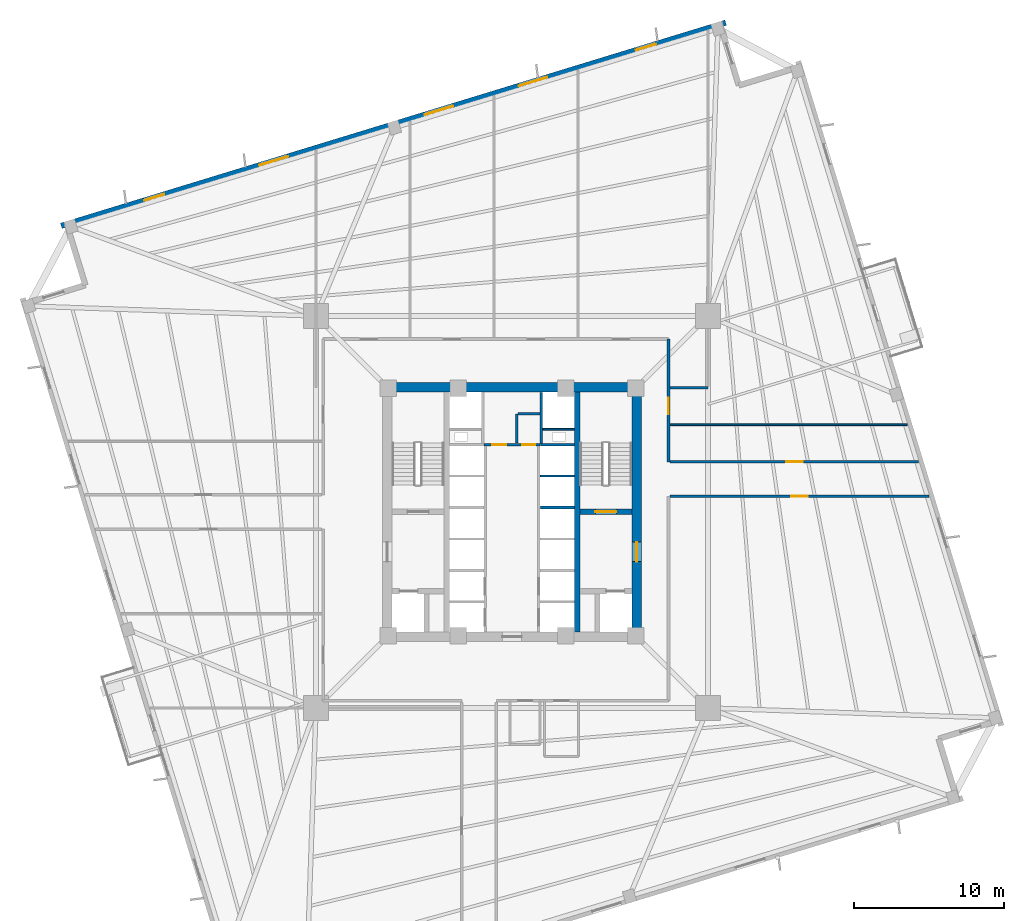
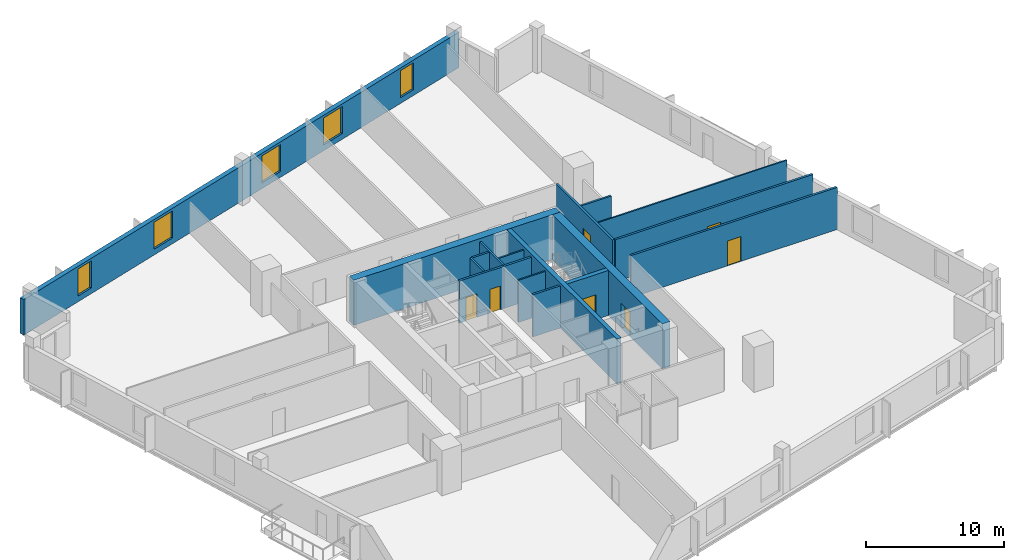
# One storey, part 5 of 9: 18 walls, 7 doors, 5 windows, 12 openings.
"""IFC4 building model written with IfcOpenShell, lengths in metres."""

from ifc_helpers import new_model, si_unit, direction, frame, frame_2d, origin, place, context, subcontext, project, spatial, rectangle, extrude, source, transform, mapped, material, layer, layer_set, type_object, element, fill, save


model = new_model("IFC4")

# Units and contexts
model_context = context("Model", 3, precision=1e-05, world=origin(), true_north=direction((0.0, 1.0)))
body_context = subcontext(model_context, "Body", "Model", "MODEL_VIEW")
ifc_project = project(units=[si_unit("LENGTHUNIT", "METRE"), si_unit("AREAUNIT", "SQUARE_METRE"), si_unit("VOLUMEUNIT", "CUBIC_METRE"), si_unit("PLANEANGLEUNIT", "RADIAN"), si_unit("MASSUNIT", "GRAM", prefix="KILO"), si_unit("THERMODYNAMICTEMPERATUREUNIT", "KELVIN")], contexts=[model_context])

# Site, building, storey
site_placement = place(None, origin())
site = spatial("IfcSite", under=ifc_project, at=site_placement, CompositionType="ELEMENT")
building_placement = place(site_placement, origin())
building = spatial("IfcBuilding", under=site, at=building_placement, Name="Kosmvard Interchange Tower", CompositionType="ELEMENT")
storey_placement = place(building_placement, frame((0.0, 0.0, 83.199951171875)))
storey = spatial("IfcBuildingStorey", under=building, at=storey_placement, Name="L19", CompositionType="ELEMENT", Elevation=83.199951171875)

# Walls
ifc_material_1 = material(Name="Acoustic gypsum partition system")
ifc_layer_1 = layer(ifc_material_1, 0.14990234375, Name="Acoustic gypsum partition system")
ifc_layer_set_1 = layer_set([ifc_layer_1], Name="Acoustic gypsum partition system")
wall_type_1 = type_object("IfcWallType", Name="Acoustic Suite & Meeting Partition 150", PredefinedType="PARTITIONING", material=ifc_layer_set_1)
wall_1_placement = place(storey_placement, frame((10.544921875, 8.300048828125, 0.0), z_axis=(0.0, 0.0, 1.0), x_axis=(1.0, 0.0, 0.0)))
element("IfcWall", 1, at=wall_1_placement, inside=storey, type_object=wall_type_1, Name="L19 Room Partition 06.1", PredefinedType="PARTITIONING", context=body_context, shape_type="SweptSolid", body=[
    extrude(rectangle(XDim=2.5361328125, YDim=0.14990234375, at=frame_2d((1.26806640625, 0.0))), origin(), (0.0, 0.0, 1.0), 3.739990234375),
])
ifc_material_2 = material(Name="Fire-rated gypsum partition system")
ifc_layer_2 = layer(ifc_material_2, 0.159912109375, Name="Fire-rated gypsum partition system")
ifc_layer_set_2 = layer_set([ifc_layer_2], Name="Fire-rated gypsum partition system")
wall_type_2 = type_object("IfcWallType", Name="Core Compartment & Shuttle Lobby Partition 160", PredefinedType="PARTITIONING", material=ifc_layer_set_2)
wall_2_placement = place(storey_placement, frame((1.9599609375, 4.580078125, 0.0), z_axis=(0.0, 0.0, 1.0), x_axis=(0.0, 1.0, 0.0)))
element("IfcWall", 2, at=wall_2_placement, inside=storey, type_object=wall_type_2, Name="L19 North Core East Wall", PredefinedType="PARTITIONING", context=body_context, shape_type="SweptSolid", body=[
    extrude(rectangle(XDim=3.39990234375, YDim=0.159912109375, at=frame_2d((1.699951171875, 0.0))), origin(), (0.0, 0.0, 1.0), 3.739990234375),
])
ifc_material_3 = material(Name="Concrete blockwork masonry", Category="masonry")
ifc_layer_3 = layer(ifc_material_3, 0.159912109375, Name="Concrete blockwork masonry")
ifc_layer_set_3 = layer_set([ifc_layer_3], Name="Concrete blockwork masonry")
wall_type_3 = type_object("IfcWallType", Name="Core Enclosure Split Wall 160", PredefinedType="PARTITIONING", material=ifc_layer_set_3)
wall_3_placement = place(storey_placement, frame((0.320068359375, 4.60009765625, 0.0), z_axis=(0.0, 0.0, 1.0), x_axis=(0.0, 1.0, 0.0)))
element("IfcWall", 3, at=wall_3_placement, inside=storey, type_object=wall_type_3, Name="L19 Core K3 L-Wall 1", PredefinedType="PARTITIONING", context=body_context, shape_type="SweptSolid", body=[
    extrude(rectangle(XDim=1.949951171875, YDim=0.159912109375, at=frame_2d((0.97509765625, 0.0))), origin(), (0.0, 0.0, 1.0), 3.739990234375),
])
wall_4_placement = place(storey_placement, frame((0.39990234375, 6.550048828125, 0.0), z_axis=(0.0, 0.0, 1.0), x_axis=(1.0, 0.0, 0.0)))
element("IfcWall", 4, at=wall_4_placement, inside=storey, type_object=wall_type_3, Name="L19 Core K3 L-Wall 2", PredefinedType="PARTITIONING", context=body_context, shape_type="SweptSolid", body=[
    extrude(rectangle(XDim=1.460205078125, YDim=0.159912109375, at=frame_2d((0.72998046875, 0.0))), origin(), (0.0, 0.0, 1.0), 3.739990234375),
])

# Wall, openings, doors
ifc_layer_4 = layer(ifc_material_2, 0.179931640625, Name="Fire-rated gypsum partition system")
ifc_layer_set_4 = layer_set([ifc_layer_4], Name="Fire-rated gypsum partition system")
wall_type_4 = type_object("IfcWallType", Name="Corridor & Hotel Compartment Partition 180", PredefinedType="PARTITIONING", material=ifc_layer_set_4)
wall_5_placement = place(storey_placement, frame((-1.8798828125, 4.489990234375, 0.0), z_axis=(0.0, 0.0, 1.0), x_axis=(1.0, 0.0, 0.0)))
wall_5 = element("IfcWall", 5, at=wall_5_placement, inside=storey, type_object=wall_type_4, Name="L19 Lift Lobby North Partition", PredefinedType="PARTITIONING", context=body_context, shape_type="SweptSolid", body=[
    extrude(rectangle(XDim=3.759765625, YDim=0.179931640625, at=frame_2d((1.8798828125, 0.0))), origin(), (0.0, 0.0, 1.0), 3.739990234375),
])
opening_1_placement = place(wall_5_placement, frame((0.550048828125, 0.0, 0.0)))
opening_1 = element("IfcOpeningElement", 6, at=opening_1_placement, cuts=wall_5, Name="Opening L19-KD1", PredefinedType="OPENING", context=body_context, shape_type="SweptSolid", body=[
    extrude(rectangle(XDim=0.949951171875, YDim=2.10009765625, at=frame_2d((0.47509765625, 1.050048828125))), frame((0.0, 0.10009765625, 0.0), z_axis=(0.0, -1.0, 0.0), x_axis=(1.0, 0.0, 0.0)), (0.0, 0.0, 1.0), 0.199951171875),
])
opening_2_placement = place(wall_5_placement, frame((2.56005859375, 0.0, 0.0)))
opening_2 = element("IfcOpeningElement", 7, at=opening_2_placement, cuts=wall_5, Name="Opening L19-KD2", PredefinedType="OPENING", context=body_context, shape_type="SweptSolid", body=[
    extrude(rectangle(XDim=0.8798828125, YDim=2.10009765625, at=frame_2d((0.43994140625, 1.050048828125))), frame((0.0, 0.10009765625, 0.0), z_axis=(0.0, -1.0, 0.0), x_axis=(1.0, 0.0, 0.0)), (0.0, 0.0, 1.0), 0.199951171875),
])
ifc_material_4 = material(Name="Painted fire-rated timber leaf", Category="wood")
door_type_1 = type_object("IfcDoorType", Name="Core Service Fire Door 950x2100 EI30", OperationType="NOTDEFINED", PredefinedType="DOOR", material=ifc_material_4)
shared_shape_1 = source(origin(), body_context, "Body", "SweptSolid", [
    extrude(rectangle(XDim=0.949951171875, YDim=2.10009765625, at=frame_2d((0.47509765625, 1.050048828125))), frame((0.0, 0.02490234375, 0.0), z_axis=(0.0, -1.0, 0.0), x_axis=(1.0, 0.0, 0.0)), (0.0, 0.0, 1.0), 0.050048828125),
])
door_1_placement = place(opening_1_placement, origin())
door_1 = element("IfcDoor", 8, at=door_1_placement, inside=storey, type_object=door_type_1, Name="L19 Core Archive Store Door", OperationType="SINGLE_SWING_LEFT", OverallHeight=2.10009765625, OverallWidth=0.949951171875, PredefinedType="DOOR", context=body_context, shape_type="MappedRepresentation", body=[
    mapped(shared_shape_1, transform((0.0, 0.0, 0.0), scale=1.0)),
])
fill(opening_1, door_1)
door_type_2 = type_object("IfcDoorType", Name="Core Cupboard Fire Door 880x2100 EI30", OperationType="NOTDEFINED", PredefinedType="DOOR", material=ifc_material_4)
shared_shape_2 = source(origin(), body_context, "Body", "SweptSolid", [
    extrude(rectangle(XDim=0.8798828125, YDim=2.10009765625, at=frame_2d((0.43994140625, 1.050048828125))), frame((0.0, 0.02490234375, 0.0), z_axis=(0.0, -1.0, 0.0), x_axis=(1.0, 0.0, 0.0)), (0.0, 0.0, 1.0), 0.050048828125),
])
door_2_placement = place(opening_2_placement, origin())
door_2 = element("IfcDoor", 9, at=door_2_placement, inside=storey, type_object=door_type_2, Name="L19 Core Supplies Cupboard Door", OperationType="SINGLE_SWING_RIGHT", OverallHeight=2.10009765625, OverallWidth=0.8798828125, PredefinedType="DOOR", context=body_context, shape_type="MappedRepresentation", body=[
    mapped(shared_shape_2, transform((0.0, 0.0, 0.0), scale=1.0)),
])
fill(opening_2, door_2)

# Wall, opening, door
wall_6_placement = place(storey_placement, frame((10.449951171875, 3.35009765625, 0.0), z_axis=(0.0, 0.0, 1.0), x_axis=(0.0, 1.0, 0.0)))
wall_6 = element("IfcWall", 10, at=wall_6_placement, inside=storey, type_object=wall_type_4, Name="L19 Corridor Wall CEN", PredefinedType="PARTITIONING", context=body_context, shape_type="SweptSolid", body=[
    extrude(rectangle(XDim=8.199951171875, YDim=0.179931640625, at=frame_2d((4.10009765625, 0.0))), origin(), (0.0, 0.0, 1.0), 3.739990234375),
])
opening_3_placement = place(wall_6_placement, frame((3.16259765625, 0.0, 0.0)))
opening_3 = element("IfcOpeningElement", 11, at=opening_3_placement, cuts=wall_6, Name="Opening L19-D10", PredefinedType="OPENING", context=body_context, shape_type="SweptSolid", body=[
    extrude(rectangle(XDim=1.10009765625, YDim=2.199951171875, at=frame_2d((0.550048828125, 1.10009765625))), frame((0.0, 0.10009765625, 0.0), z_axis=(0.0, -1.0, 0.0), x_axis=(1.0, 0.0, 0.0)), (0.0, 0.0, 1.0), 0.199951171875),
])
ifc_material_5 = material(Name="Engineered oak fire-rated timber", Category="wood")
door_type_3 = type_object("IfcDoorType", Name="Office Suite Entrance Door 1100x2200 FD30S", OperationType="NOTDEFINED", PredefinedType="DOOR", material=ifc_material_5)
shared_shape_3 = source(origin(), body_context, "Body", "SweptSolid", [
    extrude(rectangle(XDim=1.10009765625, YDim=2.199951171875, at=frame_2d((0.550048828125, 1.10009765625))), frame((0.0, 0.02490234375, 0.0), z_axis=(0.0, -1.0, 0.0), x_axis=(1.0, 0.0, 0.0)), (0.0, 0.0, 1.0), 0.050048828125),
])
door_3_placement = place(opening_3_placement, frame((1.10009765625, 0.0, 0.0), z_axis=(0.0, 0.0, 1.0), x_axis=(-1.0, 0.0, 0.0)))
door_3 = element("IfcDoor", 12, at=door_3_placement, inside=storey, type_object=door_type_3, Name="L19 Corporate Office 7 Door", OperationType="SINGLE_SWING_RIGHT", OverallHeight=2.199951171875, OverallWidth=1.10009765625, PredefinedType="DOOR", context=body_context, shape_type="MappedRepresentation", body=[
    mapped(shared_shape_3, transform((0.0, 0.0, 0.0), scale=1.0)),
])
fill(opening_3, door_3)

wall_7_placement = place(storey_placement, frame((10.550048828125, 1.050048828125, 0.0), z_axis=(0.0, 0.0, 1.0), x_axis=(1.0, 0.0, 0.0)))
wall_7 = element("IfcWall", 13, at=wall_7_placement, inside=storey, type_object=wall_type_4, Name="L19 Corridor Wall SES", PredefinedType="PARTITIONING", context=body_context, shape_type="SweptSolid", body=[
    extrude(rectangle(XDim=17.294677734375, YDim=0.179931640625, at=frame_2d((8.6474609375, 0.0))), origin(), (0.0, 0.0, 1.0), 3.739990234375),
])
opening_4_placement = place(wall_7_placement, frame((8.097412109375, 0.0, 0.0)))
opening_4 = element("IfcOpeningElement", 14, at=opening_4_placement, cuts=wall_7, Name="Opening L19-D11", PredefinedType="OPENING", context=body_context, shape_type="SweptSolid", body=[
    extrude(rectangle(XDim=1.10009765625, YDim=2.199951171875, at=frame_2d((0.550048828125, 1.10009765625))), frame((0.0, 0.10009765625, 0.0), z_axis=(0.0, -1.0, 0.0), x_axis=(1.0, 0.0, 0.0)), (0.0, 0.0, 1.0), 0.199951171875),
])
door_4_placement = place(opening_4_placement, frame((1.10009765625, 0.0, 0.0), z_axis=(0.0, 0.0, 1.0), x_axis=(-1.0, 0.0, 0.0)))
door_4 = element("IfcDoor", 15, at=door_4_placement, inside=storey, type_object=door_type_3, Name="L19 South-East Corporate Open Workplace Door", OperationType="SINGLE_SWING_LEFT", OverallHeight=2.199951171875, OverallWidth=1.10009765625, PredefinedType="DOOR", context=body_context, shape_type="MappedRepresentation", body=[
    mapped(shared_shape_3, transform((0.0, 0.0, 0.0), scale=1.0)),
])
fill(opening_4, door_4)

wall_8_placement = place(storey_placement, frame((10.550048828125, 3.35009765625, 0.0), z_axis=(0.0, 0.0, 1.0), x_axis=(1.0, 0.0, 0.0)))
wall_8 = element("IfcWall", 16, at=wall_8_placement, inside=storey, type_object=wall_type_4, Name="L19 Corridor Wall SEN", PredefinedType="PARTITIONING", context=body_context, shape_type="SweptSolid", body=[
    extrude(rectangle(XDim=16.591552734375, YDim=0.179931640625, at=frame_2d((8.2958984375, 0.0))), origin(), (0.0, 0.0, 1.0), 3.739990234375),
])
opening_5_placement = place(wall_8_placement, frame((7.745849609375, 0.0, 0.0)))
opening_5 = element("IfcOpeningElement", 17, at=opening_5_placement, cuts=wall_8, Name="Opening L19-D09", PredefinedType="OPENING", context=body_context, shape_type="SweptSolid", body=[
    extrude(rectangle(XDim=1.10009765625, YDim=2.199951171875, at=frame_2d((0.550048828125, 1.10009765625))), frame((0.0, 0.10009765625, 0.0), z_axis=(0.0, -1.0, 0.0), x_axis=(1.0, 0.0, 0.0)), (0.0, 0.0, 1.0), 0.199951171875),
])
door_5_placement = place(opening_5_placement, origin())
door_5 = element("IfcDoor", 18, at=door_5_placement, inside=storey, type_object=door_type_3, Name="L19 Corporate Office 6 Door", OperationType="SINGLE_SWING_LEFT", OverallHeight=2.199951171875, OverallWidth=1.10009765625, PredefinedType="DOOR", context=body_context, shape_type="MappedRepresentation", body=[
    mapped(shared_shape_3, transform((0.0, 0.0, 0.0), scale=1.0)),
])
fill(opening_5, door_5)

# Wall, openings, windows
ifc_material_6 = material(Name="Precast concrete C45/55", Category="concrete")
ifc_layer_5 = layer(ifc_material_6, 0.3798828125, Name="Precast concrete C45/55")
ifc_layer_set_5 = layer_set([ifc_layer_5], Name="Precast concrete C45/55")
wall_type_5 = type_object("IfcWallType", Name="Lower Tower Precast Pier Wall 380 C45/55", PredefinedType="STANDARD", material=ifc_layer_set_5)
wall_9_placement = place(storey_placement, frame((14.26513671875, 32.65771484375, 0.0), z_axis=(0.0, 0.0, 1.0), x_axis=(-0.956304320851, -0.292373127906, 0.0)))
wall_9 = element("IfcWall", 19, at=wall_9_placement, inside=storey, type_object=wall_type_5, Name="L19 Precast Facade Wall F-N", PredefinedType="STANDARD", context=body_context, shape_type="SweptSolid", body=[
    extrude(rectangle(XDim=46.380126953125, YDim=0.3798828125, at=frame_2d((23.18994140625, 0.0))), origin(), (0.0, 0.0, 1.0), 3.14013671875),
])
opening_6_placement = place(wall_9_placement, frame((4.865478515625, 0.0, 0.510009765625)))
opening_6 = element("IfcOpeningElement", 20, at=opening_6_placement, cuts=wall_9, Name="Opening L19-W10", PredefinedType="OPENING", context=body_context, shape_type="SweptSolid", body=[
    extrude(rectangle(XDim=1.39990234375, YDim=2.39990234375, at=frame_2d((0.699951171875, 1.199951171875))), frame((0.0, 0.199951171875, 0.0), z_axis=(0.0, -1.0, 0.0), x_axis=(1.0, 0.0, 0.0)), (0.0, 0.0, 1.0), 0.39990234375),
])
opening_7_placement = place(wall_9_placement, frame((12.4501953125, 0.0, 0.510009765625)))
opening_7 = element("IfcOpeningElement", 21, at=opening_7_placement, cuts=wall_9, Name="Opening L19-W11", PredefinedType="OPENING", context=body_context, shape_type="SweptSolid", body=[
    extrude(rectangle(XDim=2.0, YDim=2.39990234375, at=frame_2d((1.0, 1.199951171875))), frame((0.0, 0.199951171875, 0.0), z_axis=(0.0, -1.0, 0.0), x_axis=(1.0, 0.0, 0.0)), (0.0, 0.0, 1.0), 0.39990234375),
])
opening_8_placement = place(wall_9_placement, frame((19.012451171875, 0.0, 0.510009765625)))
opening_8 = element("IfcOpeningElement", 22, at=opening_8_placement, cuts=wall_9, Name="Opening L19-W12", PredefinedType="OPENING", context=body_context, shape_type="SweptSolid", body=[
    extrude(rectangle(XDim=2.0, YDim=2.39990234375, at=frame_2d((1.0, 1.199951171875))), frame((0.0, 0.199951171875, 0.0), z_axis=(0.0, -1.0, 0.0), x_axis=(1.0, 0.0, 0.0)), (0.0, 0.0, 1.0), 0.39990234375),
])
opening_9_placement = place(wall_9_placement, frame((30.538330078125, 0.0, 0.510009765625)))
opening_9 = element("IfcOpeningElement", 23, at=opening_9_placement, cuts=wall_9, Name="Opening L19-W13", PredefinedType="OPENING", context=body_context, shape_type="SweptSolid", body=[
    extrude(rectangle(XDim=2.0, YDim=2.39990234375, at=frame_2d((1.0, 1.199951171875))), frame((0.0, 0.199951171875, 0.0), z_axis=(0.0, -1.0, 0.0), x_axis=(1.0, 0.0, 0.0)), (0.0, 0.0, 1.0), 0.39990234375),
])
opening_10_placement = place(wall_9_placement, frame((39.186767578125, 0.0, 0.510009765625)))
opening_10 = element("IfcOpeningElement", 24, at=opening_10_placement, cuts=wall_9, Name="Opening L19-W14", PredefinedType="OPENING", context=body_context, shape_type="SweptSolid", body=[
    extrude(rectangle(XDim=1.39990234375, YDim=2.39990234375, at=frame_2d((0.699951171875, 1.199951171875))), frame((0.0, 0.199951171875, 0.0), z_axis=(0.0, -1.0, 0.0), x_axis=(1.0, 0.0, 0.0)), (0.0, 0.0, 1.0), 0.39990234375),
])
ifc_material_7 = material(Name="Low-E solar-control double glazing", Category="glass")
window_type_1 = type_object("IfcWindowType", Name="Notched Corner Feature Window 1400x2400", PartitioningType="SINGLE_PANEL", PredefinedType="WINDOW", material=ifc_material_7)
shared_shape_4 = source(origin(), body_context, "Body", "SweptSolid", [
    extrude(rectangle(XDim=1.39990234375, YDim=2.39990234375, at=frame_2d((0.699951171875, 1.199951171875))), frame((0.0, 0.030029296875, 0.0), z_axis=(0.0, -1.0, 0.0), x_axis=(1.0, 0.0, 0.0)), (0.0, 0.0, 1.0), 0.06005859375),
])
window_1_placement = place(opening_6_placement, origin())
window_1 = element("IfcWindow", 25, at=window_1_placement, inside=storey, type_object=window_type_1, Name="L19 Facade Punched Window 10", OverallHeight=2.39990234375, OverallWidth=1.39990234375, PartitioningType="SINGLE_PANEL", PredefinedType="WINDOW", context=body_context, shape_type="MappedRepresentation", body=[
    mapped(shared_shape_4, transform((0.0, 0.0, 0.0), scale=1.0)),
])
fill(opening_6, window_1)
window_2_placement = place(opening_10_placement, origin())
window_2 = element("IfcWindow", 26, at=window_2_placement, inside=storey, type_object=window_type_1, Name="L19 Facade Punched Window 14", OverallHeight=2.39990234375, OverallWidth=1.39990234375, PartitioningType="SINGLE_PANEL", PredefinedType="WINDOW", context=body_context, shape_type="MappedRepresentation", body=[
    mapped(shared_shape_4, transform((0.0, 0.0, 0.0), scale=1.0)),
])
fill(opening_10, window_2)
window_type_2 = type_object("IfcWindowType", Name="Zone 2 Office Punched Window 2000x2400", PartitioningType="SINGLE_PANEL", PredefinedType="WINDOW", material=ifc_material_7)
shared_shape_5 = source(origin(), body_context, "Body", "SweptSolid", [
    extrude(rectangle(XDim=2.0, YDim=2.39990234375, at=frame_2d((1.0, 1.199951171875))), frame((0.0, 0.030029296875, 0.0), z_axis=(0.0, -1.0, 0.0), x_axis=(1.0, 0.0, 0.0)), (0.0, 0.0, 1.0), 0.06005859375),
])
window_3_placement = place(opening_7_placement, origin())
window_3 = element("IfcWindow", 27, at=window_3_placement, inside=storey, type_object=window_type_2, Name="L19 Facade Punched Window 11", OverallHeight=2.39990234375, OverallWidth=2.0, PartitioningType="SINGLE_PANEL", PredefinedType="WINDOW", context=body_context, shape_type="MappedRepresentation", body=[
    mapped(shared_shape_5, transform((0.0, 0.0, 0.0), scale=1.0)),
])
fill(opening_7, window_3)
window_4_placement = place(opening_8_placement, origin())
window_4 = element("IfcWindow", 28, at=window_4_placement, inside=storey, type_object=window_type_2, Name="L19 Facade Punched Window 12", OverallHeight=2.39990234375, OverallWidth=2.0, PartitioningType="SINGLE_PANEL", PredefinedType="WINDOW", context=body_context, shape_type="MappedRepresentation", body=[
    mapped(shared_shape_5, transform((0.0, 0.0, 0.0), scale=1.0)),
])
fill(opening_8, window_4)
window_5_placement = place(opening_9_placement, origin())
window_5 = element("IfcWindow", 29, at=window_5_placement, inside=storey, type_object=window_type_2, Name="L19 Facade Punched Window 13", OverallHeight=2.39990234375, OverallWidth=2.0, PartitioningType="SINGLE_PANEL", PredefinedType="WINDOW", context=body_context, shape_type="MappedRepresentation", body=[
    mapped(shared_shape_5, transform((0.0, 0.0, 0.0), scale=1.0)),
])
fill(opening_9, window_5)

# Wall
ifc_material_8 = material(Name="Concrete C70/85", Category="concrete")
ifc_layer_6 = layer(ifc_material_8, 0.64990234375, Name="Concrete C70/85")
ifc_layer_set_6 = layer_set([ifc_layer_6], Name="Concrete C70/85")
wall_type_6 = type_object("IfcWallType", Name="Mid Core Shear Wall 650 C70/85", PredefinedType="SHEAR", material=ifc_layer_set_6)
wall_10_placement = place(storey_placement, frame((-8.64990234375, 8.324951171875, 0.0), z_axis=(0.0, 0.0, 1.0), x_axis=(1.0, 0.0, 0.0)))
element("IfcWall", 30, at=wall_10_placement, inside=storey, type_object=wall_type_6, Name="L19 Core Shear Wall CW-N", PredefinedType="SHEAR", context=body_context, shape_type="SweptSolid", body=[
    extrude(rectangle(XDim=17.2998046875, YDim=0.64990234375, at=frame_2d((8.64990234375, 0.0))), origin(), (0.0, 0.0, 1.0), 4.0),
])

# Wall, opening, door
wall_11_placement = place(storey_placement, frame((8.324951171875, -8.0, 0.0), z_axis=(0.0, 0.0, 1.0), x_axis=(0.0, 1.0, 0.0)))
wall_11 = element("IfcWall", 31, at=wall_11_placement, inside=storey, type_object=wall_type_6, Name="L19 Core Shear Wall CW-E", PredefinedType="SHEAR", context=body_context, shape_type="SweptSolid", body=[
    extrude(rectangle(XDim=16.0, YDim=0.64990234375, at=frame_2d((8.0, 0.0))), origin(), (0.0, 0.0, 1.0), 4.0),
])
opening_11_placement = place(wall_11_placement, frame((4.68994140625, 0.0, 0.0)))
opening_11 = element("IfcOpeningElement", 32, at=opening_11_placement, cuts=wall_11, Name="Opening L19-FD2", PredefinedType="OPENING", context=body_context, shape_type="SweptSolid", body=[
    extrude(rectangle(XDim=1.300048828125, YDim=2.199951171875, at=frame_2d((0.64990234375, 1.10009765625))), frame((0.0, 0.3349609375, 0.0), z_axis=(0.0, -1.0, 0.0), x_axis=(1.0, 0.0, 0.0)), (0.0, 0.0, 1.0), 0.669921875),
])
ifc_material_9 = material(Name="Painted fire-rated steel leaf", Category="steel")
door_type_4 = type_object("IfcDoorType", Name="Firefighting Lobby Door 1300x2200 EI60", OperationType="NOTDEFINED", PredefinedType="DOOR", material=ifc_material_9)
shared_shape_6 = source(origin(), body_context, "Body", "SweptSolid", [
    extrude(rectangle(XDim=1.300048828125, YDim=2.199951171875, at=frame_2d((0.64990234375, 1.10009765625))), frame((0.0, 0.02490234375, 0.0), z_axis=(0.0, -1.0, 0.0), x_axis=(1.0, 0.0, 0.0)), (0.0, 0.0, 1.0), 0.050048828125),
])
door_6_placement = place(opening_11_placement, origin())
door_6 = element("IfcDoor", 33, at=door_6_placement, inside=storey, type_object=door_type_4, Name="L19 Firefighting Lobby East Door", OperationType="SINGLE_SWING_RIGHT", OverallHeight=2.199951171875, OverallWidth=1.300048828125, PredefinedType="DOOR", context=body_context, shape_type="MappedRepresentation", body=[
    mapped(shared_shape_6, transform((0.0, 0.0, 0.0), scale=1.0)),
])
fill(opening_11, door_6)

# Walls
ifc_material_10 = material(Name="Gypsum board partition system")
ifc_layer_7 = layer(ifc_material_10, 0.1201171875, Name="Gypsum board partition system")
ifc_layer_set_7 = layer_set([ifc_layer_7], Name="Gypsum board partition system")
wall_type_7 = type_object("IfcWallType", Name="Office Cellular Partition 120", PredefinedType="PARTITIONING", material=ifc_layer_set_7)
wall_12_placement = place(storey_placement, frame((10.544921875, 5.824951171875, 0.0), z_axis=(0.0, 0.0, 1.0), x_axis=(1.0, 0.0, 0.0)))
element("IfcWall", 34, at=wall_12_placement, inside=storey, type_object=wall_type_7, Name="L19 Room Partition 09.1", PredefinedType="PARTITIONING", context=body_context, shape_type="SweptSolid", body=[
    extrude(rectangle(XDim=15.83984375, YDim=0.1201171875, at=frame_2d((7.919921875, 0.0))), origin(), (0.0, 0.0, 1.0), 3.739990234375),
])
ifc_layer_8 = layer(ifc_material_3, 0.179931640625, Name="Concrete blockwork masonry")
ifc_layer_set_8 = layer_set([ifc_layer_8], Name="Concrete blockwork masonry")
wall_type_8 = type_object("IfcWallType", Name="Riser & Lift Bank Divider Wall 180", PredefinedType="PARTITIONING", material=ifc_layer_set_8)
for number, where, z_axis, x_axis, name in (
    (35, (1.889892578125, 0.300048828125, 0.0), (0.0, 0.0, 1.0), (1.0, 0.0, 0.0), "L19 East Bank Divider BD2"),
    (36, (1.889892578125, 4.489990234375, 0.0), (0.0, 0.0, 1.0), (1.0, 0.0, 0.0), "L19 East Bank Divider BD3"),
):
    element("IfcWall", number, at=place(storey_placement, frame(where, z_axis=z_axis, x_axis=x_axis)), inside=storey, type_object=wall_type_8, Name=name, PredefinedType="PARTITIONING", context=body_context, shape_type="SweptSolid", body=[
        extrude(rectangle(XDim=2.280029296875, YDim=0.179931640625, at=frame_2d((1.14013671875, 0.0))), origin(), (0.0, 0.0, 1.0), 3.739990234375),
    ])
ifc_material_11 = material(Name="Fire-rated gypsum shaftwall system")
ifc_layer_9 = layer(ifc_material_11, 0.1201171875, Name="Fire-rated gypsum shaftwall system")
ifc_layer_set_9 = layer_set([ifc_layer_9], Name="Fire-rated gypsum shaftwall system")
wall_type_9 = type_object("IfcWallType", Name="Shaft & Riser Fire Partition 120 EI60", PredefinedType="PARTITIONING", material=ifc_layer_set_9)
wall_13_placement = place(storey_placement, frame((1.89990234375, 2.39990234375, 0.0), z_axis=(0.0, 0.0, 1.0), x_axis=(1.0, 0.0, 0.0)))
element("IfcWall", 37, at=wall_13_placement, inside=storey, type_object=wall_type_9, Name="L19 Shaft Divider PL-H3", PredefinedType="PARTITIONING", context=body_context, shape_type="SweptSolid", body=[
    extrude(rectangle(XDim=2.260009765625, YDim=0.1201171875, at=frame_2d((1.1298828125, 0.0))), origin(), (0.0, 0.0, 1.0), 3.739990234375),
])
wall_14_placement = place(storey_placement, frame((2.06005859375, 5.52001953125, 0.0), z_axis=(0.0, 0.0, 1.0), x_axis=(1.0, 0.0, 0.0)))
element("IfcWall", 38, at=wall_14_placement, inside=storey, type_object=wall_type_9, Name="L19 Riser Shaft Divider E", PredefinedType="PARTITIONING", context=body_context, shape_type="SweptSolid", body=[
    extrude(rectangle(XDim=2.099853515625, YDim=0.1201171875, at=frame_2d((1.0498046875, 0.0))), origin(), (0.0, 0.0, 1.0), 3.739990234375),
])
ifc_material_12 = material(Name="Concrete C60/75", Category="concrete")
ifc_layer_10 = layer(ifc_material_12, 0.360107421875, Name="Concrete C60/75")
ifc_layer_set_10 = layer_set([ifc_layer_10], Name="Concrete C60/75")
wall_type_10 = type_object("IfcWallType", Name="Stair & Lift Shaft Shear Wall 360 C60/75", PredefinedType="SHEAR", material=ifc_layer_set_10)
wall_15_placement = place(storey_placement, frame((4.360107421875, -8.0, 0.0), z_axis=(0.0, 0.0, 1.0), x_axis=(0.0, 1.0, 0.0)))
element("IfcWall", 39, at=wall_15_placement, inside=storey, type_object=wall_type_10, Name="L19 Shaft Shear Wall SW-E", PredefinedType="SHEAR", context=body_context, shape_type="SweptSolid", body=[
    extrude(rectangle(XDim=16.0, YDim=0.360107421875, at=frame_2d((8.0, 0.0))), origin(), (0.0, 0.0, 1.0), 4.0),
])

# Wall, opening, door
wall_16_placement = place(storey_placement, frame((4.5400390625, 0.02001953125, 0.0), z_axis=(0.0, 0.0, 1.0), x_axis=(1.0, 0.0, 0.0)))
wall_16 = element("IfcWall", 40, at=wall_16_placement, inside=storey, type_object=wall_type_10, Name="L19 Shaft Shear Wall SW-ST2", PredefinedType="SHEAR", context=body_context, shape_type="SweptSolid", body=[
    extrude(rectangle(XDim=3.4599609375, YDim=0.360107421875, at=frame_2d((1.72998046875, 0.0))), origin(), (0.0, 0.0, 1.0), 4.0),
])
opening_12_placement = place(wall_16_placement, frame((1.030029296875, 0.0, 0.0)))
opening_12 = element("IfcOpeningElement", 41, at=opening_12_placement, cuts=wall_16, Name="Opening L19-SD2", PredefinedType="OPENING", context=body_context, shape_type="SweptSolid", body=[
    extrude(rectangle(XDim=1.39990234375, YDim=2.199951171875, at=frame_2d((0.699951171875, 1.10009765625))), frame((0.0, 0.18994140625, 0.0), z_axis=(0.0, -1.0, 0.0), x_axis=(1.0, 0.0, 0.0)), (0.0, 0.0, 1.0), 0.380126953125),
])
door_type_5 = type_object("IfcDoorType", Name="Protected Stair Door 1400x2200 FD60S", OperationType="NOTDEFINED", PredefinedType="DOOR", material=ifc_material_9)
shared_shape_7 = source(origin(), body_context, "Body", "SweptSolid", [
    extrude(rectangle(XDim=1.39990234375, YDim=2.199951171875, at=frame_2d((0.699951171875, 1.10009765625))), frame((0.0, 0.02490234375, 0.0), z_axis=(0.0, -1.0, 0.0), x_axis=(1.0, 0.0, 0.0)), (0.0, 0.0, 1.0), 0.050048828125),
])
door_7_placement = place(opening_12_placement, origin())
door_7 = element("IfcDoor", 42, at=door_7_placement, inside=storey, type_object=door_type_5, Name="L19 Stair ST-2 Enclosure Door", OperationType="SINGLE_SWING_RIGHT", OverallHeight=2.199951171875, OverallWidth=1.39990234375, PredefinedType="DOOR", context=body_context, shape_type="MappedRepresentation", body=[
    mapped(shared_shape_7, transform((0.0, 0.0, 0.0), scale=1.0)),
])
fill(opening_12, door_7)

save(model, "model.ifc")
